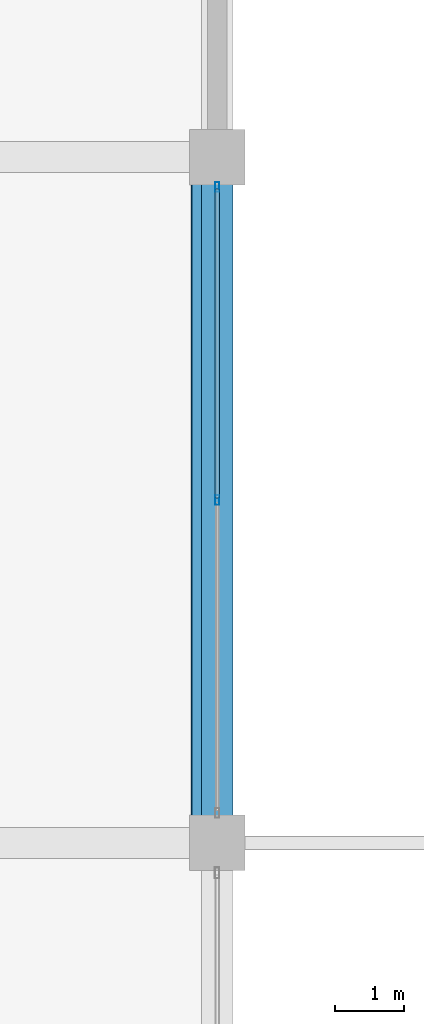
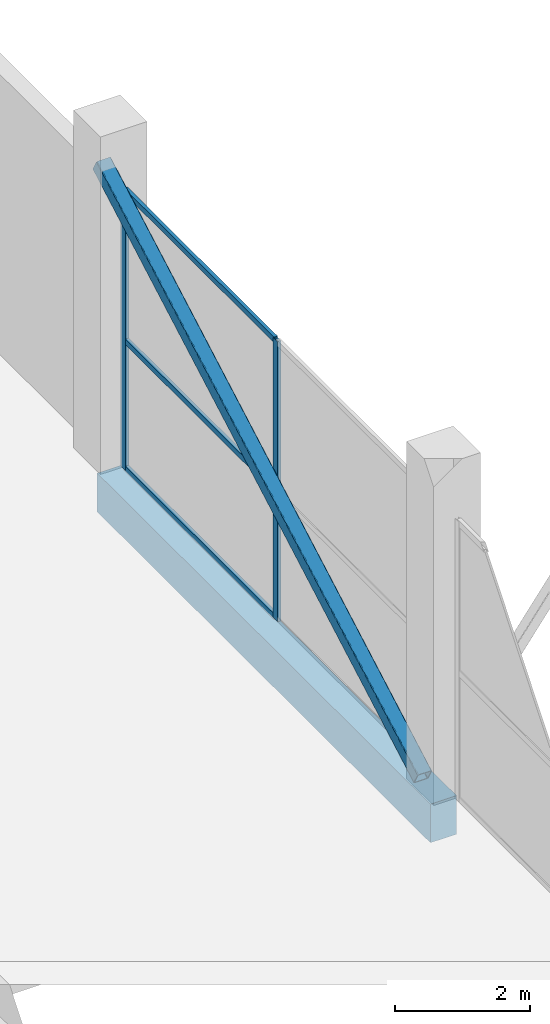
# One storey, part 22 of 46: 6 members, 1 beam, 1 element without a shape of its own.
"""IFC4 building model written with IfcOpenShell, lengths in metres."""

from ifc_helpers import new_model, si_unit, direction, frame, origin, origin_2d, place, context, subcontext, project, spatial, rectangle, hollow_rectangle, extrude, material, layer, layer_set, material_profile, profile_set, type_object, element, aggregate, save


model = new_model("IFC4")

# Units and contexts
model_context = context("Model", 3, precision=1e-05, world=origin(), true_north=direction((0.0, 1.0)))
body_context = subcontext(model_context, "Body", "Model", "MODEL_VIEW")
ifc_project = project(units=[si_unit("LENGTHUNIT", "METRE"), si_unit("AREAUNIT", "SQUARE_METRE"), si_unit("VOLUMEUNIT", "CUBIC_METRE"), si_unit("PLANEANGLEUNIT", "RADIAN"), si_unit("MASSUNIT", "GRAM", prefix="KILO")], contexts=[model_context])

# Site, building, storey
site_placement = place(None, origin())
site = spatial("IfcSite", under=ifc_project, at=site_placement, CompositionType="ELEMENT")
building_placement = place(site_placement, origin())
building = spatial("IfcBuilding", under=site, at=building_placement, Name="Sillaruma Civic Art Gallery", CompositionType="ELEMENT")
storey_placement = place(building_placement, frame((0.0, 0.0, 16.320068359375)))
storey = spatial("IfcBuildingStorey", under=building, at=storey_placement, Name="L03", CompositionType="ELEMENT", Elevation=16.320068359375)

# Beam
ifc_material_1 = material(Name="Concrete H35 (35 MPa)", Category="concrete")
ifc_material_profile_1 = material_profile(ifc_material_1, rectangle(XDim=0.449951171875, YDim=0.699951171875, at=origin_2d()), Name="RCB450x700")
ifc_profile_set_1 = profile_set([ifc_material_profile_1], Name="Concrete H35 (35 MPa)")
beam_type = type_object("IfcBeamType", Name="BM-SPANDREL-RCB450x700", PredefinedType="SPANDREL", material=ifc_profile_set_1)
beam_placement = place(storey_placement, frame((114.39990234375, 69.300048828125, -0.630126953125), z_axis=(0.0, 1.0, 0.0), x_axis=(-1.0, 0.0, 0.0)))
element("IfcBeam", 1, at=beam_placement, inside=storey, type_object=beam_type, Name="Beam BS-03 (L02:N:8-9)", PredefinedType="SPANDREL", context=body_context, shape_type="SweptSolid", body=[
    extrude(rectangle(XDim=0.449951171875, YDim=0.699951171875, at=origin_2d()), origin(), (0.0, 0.0, 1.0), 9.89990234375),
])

# Member
ifc_material_2 = material(Name="Structural Steel ASTM A500 Gr.C", Category="steel")
ifc_material_profile_2 = material_profile(ifc_material_2, hollow_rectangle(XDim=0.25, YDim=0.25, WallThickness=0.012451171875, InnerFilletRadius=0.012451171875, OuterFilletRadius=0.02490234375, at=origin_2d()), Name="HSS250x250x12.5")
ifc_profile_set_2 = profile_set([ifc_material_profile_2], Name="Structural Steel ASTM A500 Gr.C")
member_type_1 = type_object("IfcMemberType", Name="MEM-MEGA-BRACE", PredefinedType="BRACE", material=ifc_profile_set_2)
member_1_placement = place(storey_placement, frame((114.14990234375, 69.47998046875, 0.119873046875), z_axis=(0.0, 0.872597010245, 0.488440843615), x_axis=(-1.0, 0.0, 0.0)))
element("IfcMember", 2, at=member_1_placement, inside=storey, type_object=member_type_1, Name="Gallery Spine Diagonal Steel Brace (L03-E2)", PredefinedType="BRACE", context=body_context, shape_type="SweptSolid", body=[
    extrude(hollow_rectangle(XDim=0.25, YDim=0.25, WallThickness=0.012451171875, InnerFilletRadius=0.012451171875, OuterFilletRadius=0.02490234375, at=origin_2d()), origin(), (0.0, 0.0, 1.0), 10.932861328125),
])

# Curtain wall, members
ifc_material_3 = material(Name="Thermally Broken Extruded Aluminium 6063-T6", Category="aluminium")
ifc_layer = layer(ifc_material_3, 0.139892578125, Name="Thermally Broken Extruded Aluminium 6063-T6")
ifc_layer_set = layer_set([ifc_layer], Name="Thermally Broken Extruded Aluminium 6063-T6")
curtain_wall_type = type_object("IfcCurtainWallType", Name="CW-UNI-19", PredefinedType="NOTDEFINED", material=ifc_layer_set)
curtain_wall_placement = place(storey_placement, origin())
curtain_wall = element("IfcCurtainWall", 3, at=curtain_wall_placement, inside=storey, type_object=curtain_wall_type, Name="Unitised Curtain Wall CW-19 (CW-L03-E-6)", PredefinedType="NOTDEFINED")
ifc_material_profile_3 = material_profile(ifc_material_3, hollow_rectangle(XDim=0.06005859375, YDim=0.139892578125, WallThickness=0.00341796875, at=origin_2d()), Name="CWM60x140")
ifc_profile_set_3 = profile_set([ifc_material_profile_3], Name="Thermally Broken Extruded Aluminium 6063-T6")
member_type_2 = type_object("IfcMemberType", Name="MEM-MUL-CWM60x140", PredefinedType="MULLION", material=ifc_profile_set_3)
member_2_placement = place(storey_placement, frame((114.39990234375, 74.25, 0.0), z_axis=(0.0, 0.0, 1.0), x_axis=(-1.0, 0.0, 0.0)))
member_2 = element("IfcMember", 4, at=member_2_placement, type_object=member_type_2, Name="CW-19 mullion 2", PredefinedType="MULLION", context=body_context, shape_type="SweptSolid", body=[
    extrude(hollow_rectangle(XDim=0.06005859375, YDim=0.139892578125, WallThickness=0.00341796875, at=origin_2d()), origin(), (0.0, 0.0, 1.0), 5.079833984375),
])
member_3_placement = place(storey_placement, frame((114.39990234375, 78.77001953125, 0.0), z_axis=(0.0, 0.0, 1.0), x_axis=(-1.0, 0.0, 0.0)))
member_3 = element("IfcMember", 5, at=member_3_placement, type_object=member_type_2, Name="CW-19 mullion 3", PredefinedType="MULLION", context=body_context, shape_type="SweptSolid", body=[
    extrude(hollow_rectangle(XDim=0.06005859375, YDim=0.139892578125, WallThickness=0.00341796875, at=origin_2d()), origin(), (0.0, 0.0, 1.0), 5.079833984375),
])
ifc_material_profile_4 = material_profile(ifc_material_3, hollow_rectangle(XDim=0.06005859375, YDim=0.10009765625, WallThickness=0.003173828125, at=origin_2d()), Name="CWT60x100")
ifc_profile_set_4 = profile_set([ifc_material_profile_4], Name="Thermally Broken Extruded Aluminium 6063-T6")
member_type_3 = type_object("IfcMemberType", Name="MEM-TRN-CWT60x100", PredefinedType="USERDEFINED", material=ifc_profile_set_4)
member_4_placement = place(storey_placement, frame((114.39990234375, 74.280029296875, 0.030029296875), z_axis=(0.0, 1.0, 0.0), x_axis=(-1.0, 0.0, 0.0)))
member_4 = element("IfcMember", 6, at=member_4_placement, type_object=member_type_3, Name="CW-19 transom 2.1", ObjectType="TRANSOM", PredefinedType="USERDEFINED", context=body_context, shape_type="SweptSolid", body=[
    extrude(hollow_rectangle(XDim=0.06005859375, YDim=0.10009765625, WallThickness=0.003173828125, at=origin_2d()), origin(), (0.0, 0.0, 1.0), 4.4599609375),
])
member_5_placement = place(storey_placement, frame((114.39990234375, 74.280029296875, 2.336669921875), z_axis=(0.0, 1.0, 0.0), x_axis=(-1.0, 0.0, 0.0)))
member_5 = element("IfcMember", 7, at=member_5_placement, type_object=member_type_3, Name="CW-19 transom 2.2", ObjectType="TRANSOM", PredefinedType="USERDEFINED", context=body_context, shape_type="SweptSolid", body=[
    extrude(hollow_rectangle(XDim=0.06005859375, YDim=0.10009765625, WallThickness=0.003173828125, at=origin_2d()), origin(), (0.0, 0.0, 1.0), 4.4599609375),
])
member_6_placement = place(storey_placement, frame((114.39990234375, 74.280029296875, 5.050048828125), z_axis=(0.0, 1.0, 0.0), x_axis=(-1.0, 0.0, 0.0)))
member_6 = element("IfcMember", 8, at=member_6_placement, type_object=member_type_3, Name="CW-19 transom 2.3", ObjectType="TRANSOM", PredefinedType="USERDEFINED", context=body_context, shape_type="SweptSolid", body=[
    extrude(hollow_rectangle(XDim=0.06005859375, YDim=0.10009765625, WallThickness=0.003173828125, at=origin_2d()), origin(), (0.0, 0.0, 1.0), 4.4599609375),
])
aggregate(curtain_wall, [member_2, member_3, member_4, member_5, member_6])

save(model, "model.ifc")
